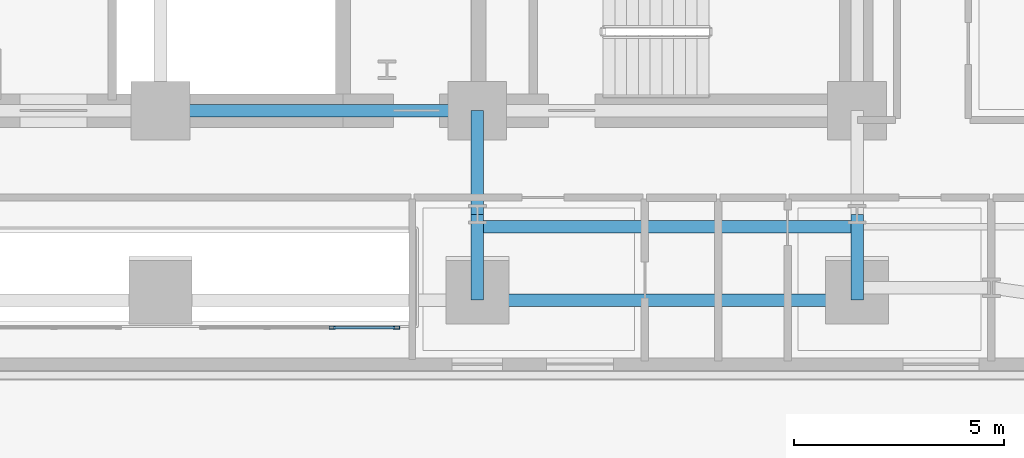
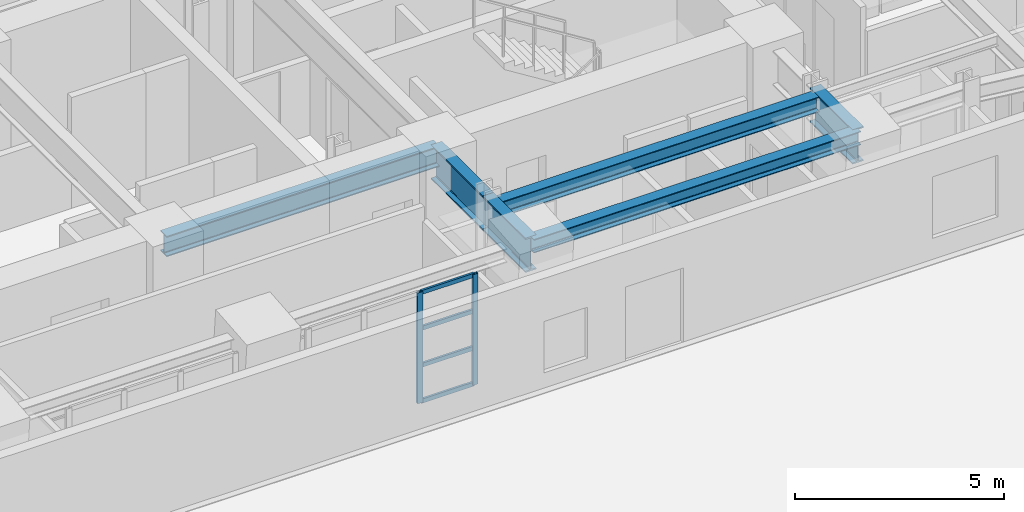
# One storey, part 5 of 15: 6 beams, 6 members, 1 element without a shape of its own.
"""IFC4 building model written with IfcOpenShell, lengths in metres."""

from ifc_helpers import new_model, si_unit, direction, frame, origin, origin_2d, place, context, subcontext, project, spatial, hollow_rectangle, i_section, extrude, material, layer, layer_set, material_profile, profile_set, type_object, element, aggregate, save


model = new_model("IFC4")

# Units and contexts
model_context = context("Model", 3, precision=1e-05, world=origin(), true_north=direction((0.0, 1.0)))
body_context = subcontext(model_context, "Body", "Model", "MODEL_VIEW")
ifc_project = project(units=[si_unit("LENGTHUNIT", "METRE"), si_unit("AREAUNIT", "SQUARE_METRE"), si_unit("VOLUMEUNIT", "CUBIC_METRE"), si_unit("PLANEANGLEUNIT", "RADIAN"), si_unit("MASSUNIT", "GRAM", prefix="KILO")], contexts=[model_context])

# Site, building, storey
site_placement = place(None, origin())
site = spatial("IfcSite", under=ifc_project, at=site_placement, CompositionType="ELEMENT")
building_placement = place(site_placement, origin())
building = spatial("IfcBuilding", under=site, at=building_placement, Name="Zarnavel Station Tower", CompositionType="ELEMENT")
storey_placement = place(building_placement, frame((0.0, 0.0, 29.0)))
storey = spatial("IfcBuildingStorey", under=building, at=storey_placement, Name="L07", CompositionType="ELEMENT", Elevation=29.0)

# Curtain wall, members
ifc_material_1 = material(Name="Aluminium Dark Anodised and Solar-Control Glass", Category="aluminium")
ifc_layer = layer(ifc_material_1, 0.179931640625)
ifc_layer_set = layer_set([ifc_layer], Name="CWS2")
curtain_wall_type = type_object("IfcCurtainWallType", Name="CWS2", PredefinedType="NOTDEFINED", material=ifc_layer_set)
curtain_wall_placement = place(storey_placement, origin())
curtain_wall = element("IfcCurtainWall", 1, at=curtain_wall_placement, inside=storey, type_object=curtain_wall_type, Name="L07 Curtain Wall CWS2-L07-AS-S2", PredefinedType="NOTDEFINED")
ifc_material_2 = material(Name="Steel S355J2 (Black Fluoropolymer Coated)", Category="steel")
ifc_material_profile_1 = material_profile(ifc_material_2, hollow_rectangle(XDim=0.074951171875, YDim=0.14990234375, WallThickness=0.00634765625, at=origin_2d()), Name="RHS150x75x6.3")
ifc_profile_set_1 = profile_set([ifc_material_profile_1], Name="Steel S355J2 (Black Fluoropolymer Coated)")
member_type_1 = type_object("IfcMemberType", Name="CWS2_MUL", PredefinedType="MULLION", material=ifc_profile_set_1)
member_1_placement = place(storey_placement, frame((32.893310546875, 22.64990234375, 0.0), z_axis=(0.0, 0.0, 1.0), x_axis=(0.0, 1.0, 0.0)))
member_1 = element("IfcMember", 2, at=member_1_placement, type_object=member_type_1, Name="CW2 mullion 3", PredefinedType="MULLION", context=body_context, shape_type="SweptSolid", body=[
    extrude(hollow_rectangle(XDim=0.074951171875, YDim=0.14990234375, WallThickness=0.00634765625, at=origin_2d()), origin(), (0.0, 0.0, 1.0), 3.239990234375),
])
member_2_placement = place(storey_placement, frame((34.419921875, 22.64990234375, 0.0), z_axis=(0.0, 0.0, 1.0), x_axis=(0.0, 1.0, 0.0)))
member_2 = element("IfcMember", 3, at=member_2_placement, type_object=member_type_1, Name="CW2 mullion 4", PredefinedType="MULLION", context=body_context, shape_type="SweptSolid", body=[
    extrude(hollow_rectangle(XDim=0.074951171875, YDim=0.14990234375, WallThickness=0.00634765625, at=origin_2d()), origin(), (0.0, 0.0, 1.0), 3.239990234375),
])
ifc_material_3 = material(Name="Steel S355J2 (Black Fluoropolymer Coated)", Category="steel")
ifc_material_profile_2 = material_profile(ifc_material_3, hollow_rectangle(XDim=0.06005859375, YDim=0.1201171875, WallThickness=0.0048828125, at=origin_2d()), Name="RHS120x60x5")
ifc_profile_set_2 = profile_set([ifc_material_profile_2], Name="Steel S355J2 (Black Fluoropolymer Coated)")
member_type_2 = type_object("IfcMemberType", Name="CWS2_TRN", PredefinedType="USERDEFINED", material=ifc_profile_set_2)
member_3_placement = place(storey_placement, frame((32.92333984375, 22.64990234375, 0.030029296875), z_axis=(1.0, 0.0, 0.0), x_axis=(0.0, 1.0, 0.0)))
member_3 = element("IfcMember", 4, at=member_3_placement, type_object=member_type_2, Name="CW2 transom 3.1", ObjectType="TRANSOM", PredefinedType="USERDEFINED", context=body_context, shape_type="SweptSolid", body=[
    extrude(hollow_rectangle(XDim=0.06005859375, YDim=0.1201171875, WallThickness=0.0048828125, at=origin_2d()), origin(), (0.0, 0.0, 1.0), 1.466552734375),
])
member_4_placement = place(storey_placement, frame((32.92333984375, 22.64990234375, 1.080078125), z_axis=(1.0, 0.0, 0.0), x_axis=(0.0, 1.0, 0.0)))
member_4 = element("IfcMember", 5, at=member_4_placement, type_object=member_type_2, Name="CW2 transom 3.2", ObjectType="TRANSOM", PredefinedType="USERDEFINED", context=body_context, shape_type="SweptSolid", body=[
    extrude(hollow_rectangle(XDim=0.06005859375, YDim=0.1201171875, WallThickness=0.0048828125, at=origin_2d()), origin(), (0.0, 0.0, 1.0), 1.466552734375),
])
member_5_placement = place(storey_placement, frame((32.92333984375, 22.64990234375, 2.159912109375), z_axis=(1.0, 0.0, 0.0), x_axis=(0.0, 1.0, 0.0)))
member_5 = element("IfcMember", 6, at=member_5_placement, type_object=member_type_2, Name="CW2 transom 3.3", ObjectType="TRANSOM", PredefinedType="USERDEFINED", context=body_context, shape_type="SweptSolid", body=[
    extrude(hollow_rectangle(XDim=0.06005859375, YDim=0.1201171875, WallThickness=0.0048828125, at=origin_2d()), origin(), (0.0, 0.0, 1.0), 1.466552734375),
])
member_6_placement = place(storey_placement, frame((32.92333984375, 22.64990234375, 3.2099609375), z_axis=(1.0, 0.0, 0.0), x_axis=(0.0, 1.0, 0.0)))
member_6 = element("IfcMember", 7, at=member_6_placement, type_object=member_type_2, Name="CW2 transom 3.4", ObjectType="TRANSOM", PredefinedType="USERDEFINED", context=body_context, shape_type="SweptSolid", body=[
    extrude(hollow_rectangle(XDim=0.06005859375, YDim=0.1201171875, WallThickness=0.0048828125, at=origin_2d()), origin(), (0.0, 0.0, 1.0), 1.466552734375),
])
aggregate(curtain_wall, [member_1, member_2, member_3, member_4, member_5, member_6])

# Beams
ifc_material_4 = material(Name="Steel S355J2", Category="steel")
ifc_material_profile_3 = material_profile(ifc_material_4, i_section(OverallWidth=0.300048828125, OverallDepth=0.39990234375, WebThickness=0.013427734375, FlangeThickness=0.02392578125, FilletRadius=0.027099609375, at=origin_2d()), Name="HEB400")
ifc_profile_set_3 = profile_set([ifc_material_profile_3], Name="Steel S355J2")
beam_type_1 = type_object("IfcBeamType", Name="EB_HEB400", PredefinedType="SPANDREL", material=ifc_profile_set_3)
beam_1_placement = place(storey_placement, frame((36.35009765625, 23.306396484375, 3.0400390625), z_axis=(1.0, 0.0, 0.0), x_axis=(0.0, 1.0, 0.0)))
element("IfcBeam", 8, at=beam_1_placement, inside=storey, type_object=beam_type_1, Name="L07 South Raked Spandrel 4", PredefinedType="SPANDREL", context=body_context, shape_type="SweptSolid", body=[
    extrude(i_section(OverallWidth=0.300048828125, OverallDepth=0.39990234375, WebThickness=0.013427734375, FlangeThickness=0.02392578125, FilletRadius=0.027099609375, at=origin_2d()), origin(), (0.0, 0.0, 1.0), 9.0498046875),
])
ifc_material_5 = material(Name="Steel S355J2", Category="steel")
ifc_material_profile_4 = material_profile(ifc_material_5, i_section(OverallWidth=0.300048828125, OverallDepth=0.43994140625, WebThickness=0.011474609375, FlangeThickness=0.02099609375, FilletRadius=0.027099609375, at=origin_2d()), Name="HEA450")
ifc_profile_set_4 = profile_set([ifc_material_profile_4], Name="Steel S355J2")
beam_type_2 = type_object("IfcBeamType", Name="FB_HEA450", PredefinedType="BEAM", material=ifc_profile_set_4)
beam_2_placement = place(storey_placement, frame((36.4951171875, 25.052001953125, 3.02001953125), z_axis=(1.0, 0.0, 0.0), x_axis=(0.0, 1.0, 0.0)))
element("IfcBeam", 9, at=beam_2_placement, inside=storey, type_object=beam_type_2, Name="L07 East Bay Beam 2", PredefinedType="BEAM", context=body_context, shape_type="SweptSolid", body=[
    extrude(i_section(OverallWidth=0.300048828125, OverallDepth=0.43994140625, WebThickness=0.011474609375, FlangeThickness=0.02099609375, FilletRadius=0.027099609375, at=origin_2d()), origin(), (0.0, 0.0, 1.0), 8.759765625),
])
ifc_material_6 = material(Name="Steel S355J2", Category="steel")
ifc_material_profile_5 = material_profile(ifc_material_6, i_section(OverallWidth=0.300048828125, OverallDepth=0.60009765625, WebThickness=0.015380859375, FlangeThickness=0.030029296875, FilletRadius=0.027099609375, at=origin_2d()), Name="HEB600")
ifc_profile_set_5 = profile_set([ifc_material_profile_5], Name="Steel S355J2")
beam_type_3 = type_object("IfcBeamType", Name="FG_HEB600", PredefinedType="USERDEFINED", material=ifc_profile_set_5)
beam_3_placement = place(storey_placement, frame((28.800048828125, 27.820068359375, 2.93994140625), z_axis=(1.0, 0.0, 0.0), x_axis=(0.0, 1.0, 0.0)))
element("IfcBeam", 10, at=beam_3_placement, inside=storey, type_object=beam_type_3, Name="L07 Core Front Coupling Beam 3", ObjectType="GIRDER", PredefinedType="USERDEFINED", context=body_context, shape_type="SweptSolid", body=[
    extrude(i_section(OverallWidth=0.300048828125, OverallDepth=0.60009765625, WebThickness=0.015380859375, FlangeThickness=0.030029296875, FilletRadius=0.027099609375, at=origin_2d()), origin(), (0.0, 0.0, 1.0), 7.550048828125),
])
ifc_material_7 = material(Name="Steel S460M", Category="steel")
ifc_material_profile_6 = material_profile(ifc_material_7, i_section(OverallWidth=0.302001953125, OverallDepth=1.008056640625, WebThickness=0.02099609375, FlangeThickness=0.0400390625, FilletRadius=0.030029296875, at=origin_2d()), Name="HEM1000")
ifc_profile_set_6 = profile_set([ifc_material_profile_6], Name="Steel S460M")
beam_type_4 = type_object("IfcBeamType", Name="TG_HEM1000", PredefinedType="USERDEFINED", material=ifc_profile_set_6)
beam_4_placement = place(storey_placement, frame((36.35009765625, 23.306396484375, 2.736083984375), z_axis=(0.0, 1.0, 0.0), x_axis=(-1.0, 0.0, 0.0)))
element("IfcBeam", 11, at=beam_4_placement, inside=storey, type_object=beam_type_4, Name="L07 South-Zone NS Girder 4", ObjectType="GIRDER", PredefinedType="USERDEFINED", context=body_context, shape_type="SweptSolid", body=[
    extrude(i_section(OverallWidth=0.302001953125, OverallDepth=1.008056640625, WebThickness=0.02099609375, FlangeThickness=0.0400390625, FilletRadius=0.030029296875, at=origin_2d()), origin(), (0.0, 0.0, 1.0), 2.043701171875),
])
beam_5_placement = place(storey_placement, frame((36.35009765625, 25.35009765625, 2.736083984375), z_axis=(0.0, 1.0, 0.0), x_axis=(-1.0, 0.0, 0.0)))
element("IfcBeam", 12, at=beam_5_placement, inside=storey, type_object=beam_type_4, Name="L07 Inner-Zone NS Girder 4", ObjectType="GIRDER", PredefinedType="USERDEFINED", context=body_context, shape_type="SweptSolid", body=[
    extrude(i_section(OverallWidth=0.302001953125, OverallDepth=1.008056640625, WebThickness=0.02099609375, FlangeThickness=0.0400390625, FilletRadius=0.030029296875, at=origin_2d()), origin(), (0.0, 0.0, 1.0), 2.469970703125),
])
beam_6_placement = place(storey_placement, frame((45.39990234375, 23.306396484375, 2.736083984375), z_axis=(0.0, 1.0, 0.0), x_axis=(-1.0, 0.0, 0.0)))
element("IfcBeam", 13, at=beam_6_placement, inside=storey, type_object=beam_type_4, Name="L07 South-Zone NS Girder 5", ObjectType="GIRDER", PredefinedType="USERDEFINED", context=body_context, shape_type="SweptSolid", body=[
    extrude(i_section(OverallWidth=0.302001953125, OverallDepth=1.008056640625, WebThickness=0.02099609375, FlangeThickness=0.0400390625, FilletRadius=0.030029296875, at=origin_2d()), origin(), (0.0, 0.0, 1.0), 2.043701171875),
])

save(model, "model.ifc")
